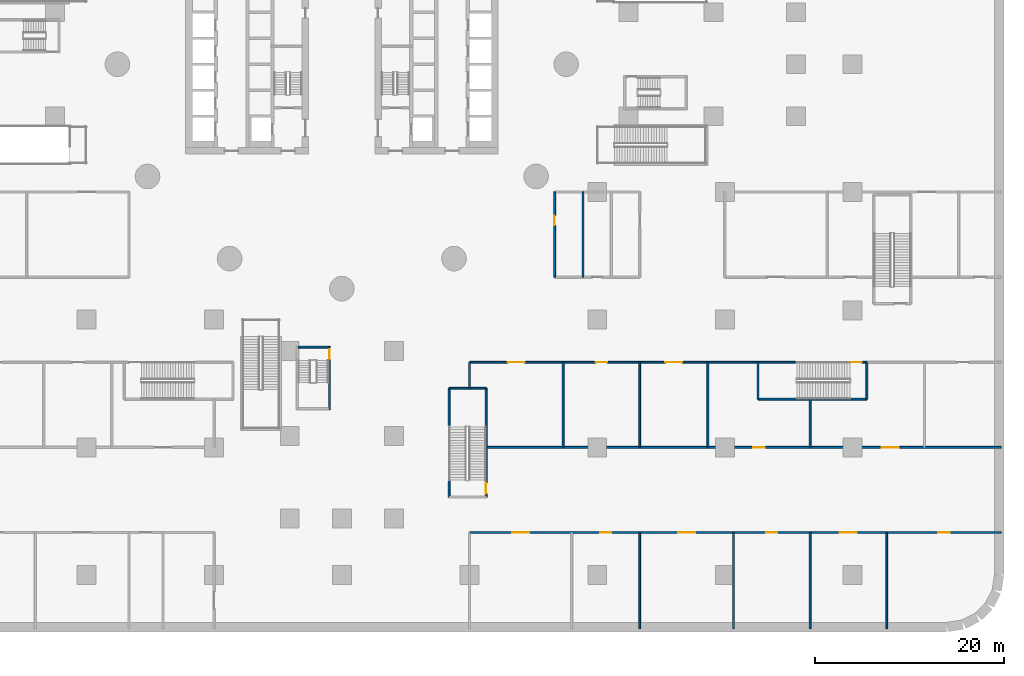
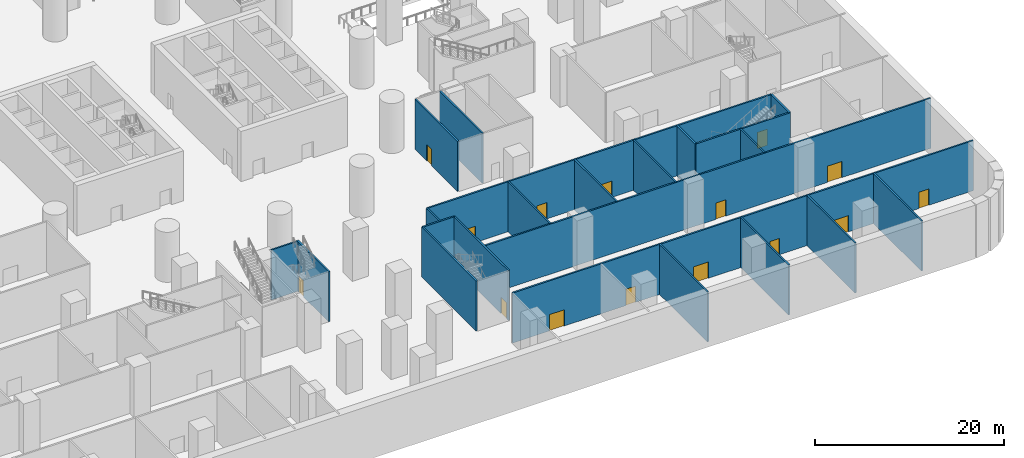
# One storey, part 7 of 37: 23 walls, 15 doors, 15 openings.
"""IFC4 building model written with IfcOpenShell, lengths in metres."""

from ifc_helpers import new_model, si_unit, direction, frame, frame_2d, origin, place, context, subcontext, project, spatial, rectangle, extrude, material, layer, layer_set, type_object, element, fill, save


model = new_model("IFC4")

# Units and contexts
model_context = context("Model", 3, precision=1e-05, world=origin(), true_north=direction((0.0, 1.0)))
body_context = subcontext(model_context, "Body", "Model", "MODEL_VIEW")
ifc_project = project(units=[si_unit("LENGTHUNIT", "METRE"), si_unit("AREAUNIT", "SQUARE_METRE"), si_unit("VOLUMEUNIT", "CUBIC_METRE"), si_unit("PLANEANGLEUNIT", "RADIAN"), si_unit("MASSUNIT", "GRAM", prefix="KILO")], contexts=[model_context])

# Site, building, storey
site_placement = place(None, origin())
site = spatial("IfcSite", under=ifc_project, at=site_placement, CompositionType="ELEMENT")
building_placement = place(site_placement, origin())
building = spatial("IfcBuilding", under=site, at=building_placement, Name="Tamarind Cross Interchange Tower", CompositionType="ELEMENT")
storey_placement = place(building_placement, frame((0.0, 0.0, -7.0)))
storey = spatial("IfcBuildingStorey", under=building, at=storey_placement, Name="B1", CompositionType="ELEMENT", Elevation=-7.0)

# Wall, openings, doors
ifc_material_1 = material(Name="Masonry partition, fire-rated", Category="masonry")
ifc_layer_1 = layer(ifc_material_1, 0.199951171875)
ifc_layer_set_1 = layer_set([ifc_layer_1], Name="Masonry partition, fire-rated")
wall_type_1 = type_object("IfcWallType", Name="Fire partition 200 EI 120", PredefinedType="PARTITIONING", material=ifc_layer_set_1)
wall_1_placement = place(storey_placement, frame((13.5, -49.5, 0.0), z_axis=(0.0, 0.0, 1.0), x_axis=(1.0, 0.0, 0.0)))
wall_1 = element("IfcWall", 1, at=wall_1_placement, inside=storey, type_object=wall_type_1, Name="B1 partition 87", PredefinedType="PARTITIONING", context=body_context, shape_type="SweptSolid", body=[
    extrude(rectangle(XDim=56.198974609375, YDim=0.199951171875, at=frame_2d((28.099609375, 0.0))), origin(), (0.0, 0.0, 1.0), 6.449951171875),
])
opening_1_placement = place(wall_1_placement, frame((4.5, 0.0, 0.0)))
opening_1 = element("IfcOpeningElement", 2, at=opening_1_placement, cuts=wall_1, Name="Opening DB1-29", PredefinedType="OPENING", context=body_context, shape_type="SweptSolid", body=[
    extrude(rectangle(XDim=1.800048828125, YDim=2.10009765625, at=frame_2d((0.89990234375, 1.050048828125))), frame((0.0, 0.10986328125, 0.0), z_axis=(0.0, -1.0, 0.0), x_axis=(1.0, 0.0, 0.0)), (0.0, 0.0, 1.0), 0.219970703125),
])
opening_2_placement = place(wall_1_placement, frame((13.800048828125, 0.0, 0.0)))
opening_2 = element("IfcOpeningElement", 3, at=opening_2_placement, cuts=wall_1, Name="Opening DB1-30", PredefinedType="OPENING", context=body_context, shape_type="SweptSolid", body=[
    extrude(rectangle(XDim=1.199951171875, YDim=2.10009765625, at=frame_2d((0.60009765625, 1.050048828125))), frame((0.0, 0.10986328125, 0.0), z_axis=(0.0, -1.0, 0.0), x_axis=(1.0, 0.0, 0.0)), (0.0, 0.0, 1.0), 0.219970703125),
])
opening_3_placement = place(wall_1_placement, frame((22.050048828125, 0.0, 0.0)))
opening_3 = element("IfcOpeningElement", 4, at=opening_3_placement, cuts=wall_1, Name="Opening DB1-31", PredefinedType="OPENING", context=body_context, shape_type="SweptSolid", body=[
    extrude(rectangle(XDim=1.800048828125, YDim=2.10009765625, at=frame_2d((0.89990234375, 1.050048828125))), frame((0.0, 0.10986328125, 0.0), z_axis=(0.0, -1.0, 0.0), x_axis=(1.0, 0.0, 0.0)), (0.0, 0.0, 1.0), 0.219970703125),
])
opening_4_placement = place(wall_1_placement, frame((31.35009765625, 0.0, 0.0)))
opening_4 = element("IfcOpeningElement", 5, at=opening_4_placement, cuts=wall_1, Name="Opening DB1-32", PredefinedType="OPENING", context=body_context, shape_type="SweptSolid", body=[
    extrude(rectangle(XDim=1.199951171875, YDim=2.10009765625, at=frame_2d((0.60009765625, 1.050048828125))), frame((0.0, 0.10986328125, 0.0), z_axis=(0.0, -1.0, 0.0), x_axis=(1.0, 0.0, 0.0)), (0.0, 0.0, 1.0), 0.219970703125),
])
opening_5_placement = place(wall_1_placement, frame((39.14990234375, 0.0, 0.0)))
opening_5 = element("IfcOpeningElement", 6, at=opening_5_placement, cuts=wall_1, Name="Opening DB1-33", PredefinedType="OPENING", context=body_context, shape_type="SweptSolid", body=[
    extrude(rectangle(XDim=1.800048828125, YDim=2.10009765625, at=frame_2d((0.89990234375, 1.050048828125))), frame((0.0, 0.10986328125, 0.0), z_axis=(0.0, -1.0, 0.0), x_axis=(1.0, 0.0, 0.0)), (0.0, 0.0, 1.0), 0.219970703125),
])
opening_6_placement = place(wall_1_placement, frame((49.56005859375, 0.0, 0.0)))
opening_6 = element("IfcOpeningElement", 7, at=opening_6_placement, cuts=wall_1, Name="Opening DB1-34", PredefinedType="OPENING", context=body_context, shape_type="SweptSolid", body=[
    extrude(rectangle(XDim=1.199951171875, YDim=2.10009765625, at=frame_2d((0.60009765625, 1.050048828125))), frame((0.0, 0.10986328125, 0.0), z_axis=(0.0, -1.0, 0.0), x_axis=(1.0, 0.0, 0.0)), (0.0, 0.0, 1.0), 0.219970703125),
])
ifc_material_2 = material(Name="Steel, fire-resisting", Category="steel")
door_type_1 = type_object("IfcDoorType", Name="Podium door 1200 x 2100 FD60", OperationType="SINGLE_SWING_LEFT", PredefinedType="DOOR", material=ifc_material_2)
door_1_placement = place(opening_2_placement, origin())
door_1 = element("IfcDoor", 8, at=door_1_placement, inside=storey, type_object=door_type_1, Name="B1 door Tenant Store B112", OperationType="SINGLE_SWING_RIGHT", OverallHeight=2.10009765625, OverallWidth=1.199951171875, PredefinedType="DOOR", context=body_context, shape_type="SweptSolid", body=[
    extrude(rectangle(XDim=1.199951171875, YDim=2.10009765625, at=frame_2d((0.60009765625, 1.050048828125))), frame((0.0, 0.02490234375, 0.0), z_axis=(0.0, -1.0, 0.0), x_axis=(1.0, 0.0, 0.0)), (0.0, 0.0, 1.0), 0.050048828125),
])
fill(opening_2, door_1)
door_2_placement = place(opening_4_placement, origin())
door_2 = element("IfcDoor", 9, at=door_2_placement, inside=storey, type_object=door_type_1, Name="B1 door Tenant Store B114", OperationType="SINGLE_SWING_RIGHT", OverallHeight=2.10009765625, OverallWidth=1.199951171875, PredefinedType="DOOR", context=body_context, shape_type="SweptSolid", body=[
    extrude(rectangle(XDim=1.199951171875, YDim=2.10009765625, at=frame_2d((0.60009765625, 1.050048828125))), frame((0.0, 0.02490234375, 0.0), z_axis=(0.0, -1.0, 0.0), x_axis=(1.0, 0.0, 0.0)), (0.0, 0.0, 1.0), 0.050048828125),
])
fill(opening_4, door_2)
door_3_placement = place(opening_6_placement, origin())
door_3 = element("IfcDoor", 10, at=door_3_placement, inside=storey, type_object=door_type_1, Name="B1 door Tenant Store B116", OperationType="SINGLE_SWING_RIGHT", OverallHeight=2.10009765625, OverallWidth=1.199951171875, PredefinedType="DOOR", context=body_context, shape_type="SweptSolid", body=[
    extrude(rectangle(XDim=1.199951171875, YDim=2.10009765625, at=frame_2d((0.60009765625, 1.050048828125))), frame((0.0, 0.02490234375, 0.0), z_axis=(0.0, -1.0, 0.0), x_axis=(1.0, 0.0, 0.0)), (0.0, 0.0, 1.0), 0.050048828125),
])
fill(opening_6, door_3)
door_type_2 = type_object("IfcDoorType", Name="Podium door 1800 x 2100 FD60", OperationType="SINGLE_SWING_LEFT", PredefinedType="DOOR", material=ifc_material_2)
door_4_placement = place(opening_1_placement, origin())
door_4 = element("IfcDoor", 11, at=door_4_placement, inside=storey, type_object=door_type_2, Name="B1 door Convenience Store B111", OperationType="SINGLE_SWING_LEFT", OverallHeight=2.10009765625, OverallWidth=1.800048828125, PredefinedType="DOOR", context=body_context, shape_type="SweptSolid", body=[
    extrude(rectangle(XDim=1.800048828125, YDim=2.10009765625, at=frame_2d((0.89990234375, 1.050048828125))), frame((0.0, 0.02490234375, 0.0), z_axis=(0.0, -1.0, 0.0), x_axis=(1.0, 0.0, 0.0)), (0.0, 0.0, 1.0), 0.050048828125),
])
fill(opening_1, door_4)
door_5_placement = place(opening_3_placement, origin())
door_5 = element("IfcDoor", 12, at=door_5_placement, inside=storey, type_object=door_type_2, Name="B1 door Coffee Bar B113", OperationType="SINGLE_SWING_LEFT", OverallHeight=2.10009765625, OverallWidth=1.800048828125, PredefinedType="DOOR", context=body_context, shape_type="SweptSolid", body=[
    extrude(rectangle(XDim=1.800048828125, YDim=2.10009765625, at=frame_2d((0.89990234375, 1.050048828125))), frame((0.0, 0.02490234375, 0.0), z_axis=(0.0, -1.0, 0.0), x_axis=(1.0, 0.0, 0.0)), (0.0, 0.0, 1.0), 0.050048828125),
])
fill(opening_3, door_5)
door_6_placement = place(opening_5_placement, origin())
door_6 = element("IfcDoor", 13, at=door_6_placement, inside=storey, type_object=door_type_2, Name="B1 door Dry Cleaner B115", OperationType="SINGLE_SWING_LEFT", OverallHeight=2.10009765625, OverallWidth=1.800048828125, PredefinedType="DOOR", context=body_context, shape_type="SweptSolid", body=[
    extrude(rectangle(XDim=1.800048828125, YDim=2.10009765625, at=frame_2d((0.89990234375, 1.050048828125))), frame((0.0, 0.02490234375, 0.0), z_axis=(0.0, -1.0, 0.0), x_axis=(1.0, 0.0, 0.0)), (0.0, 0.0, 1.0), 0.050048828125),
])
fill(opening_5, door_6)

# Wall
wall_2_placement = place(storey_placement, frame((13.5, -34.219970703125, 0.0), z_axis=(0.0, 0.0, 1.0), x_axis=(0.0, 1.0, 0.0)))
element("IfcWall", 14, at=wall_2_placement, inside=storey, type_object=wall_type_1, Name="B1 partition 88", PredefinedType="PARTITIONING", context=body_context, shape_type="SweptSolid", body=[
    extrude(rectangle(XDim=2.719970703125, YDim=0.199951171875, at=frame_2d((1.35986328125, 0.0))), origin(), (0.0, 0.0, 1.0), 6.449951171875),
])

# Wall, openings, doors
wall_3_placement = place(storey_placement, frame((13.5, -31.5, 0.0), z_axis=(0.0, 0.0, 1.0), x_axis=(1.0, 0.0, 0.0)))
wall_3 = element("IfcWall", 15, at=wall_3_placement, inside=storey, type_object=wall_type_1, Name="B1 partition 89", PredefinedType="PARTITIONING", context=body_context, shape_type="SweptSolid", body=[
    extrude(rectangle(XDim=30.469970703125, YDim=0.199951171875, at=frame_2d((15.23486328125, 0.0))), origin(), (0.0, 0.0, 1.0), 6.449951171875),
])
opening_7_placement = place(wall_3_placement, frame((4.050048828125, 0.0, 0.0)))
opening_7 = element("IfcOpeningElement", 16, at=opening_7_placement, cuts=wall_3, Name="Opening DB1-23", PredefinedType="OPENING", context=body_context, shape_type="SweptSolid", body=[
    extrude(rectangle(XDim=1.800048828125, YDim=2.10009765625, at=frame_2d((0.89990234375, 1.050048828125))), frame((0.0, 0.10986328125, 0.0), z_axis=(0.0, -1.0, 0.0), x_axis=(1.0, 0.0, 0.0)), (0.0, 0.0, 1.0), 0.219970703125),
])
opening_8_placement = place(wall_3_placement, frame((13.35009765625, 0.0, 0.0)))
opening_8 = element("IfcOpeningElement", 17, at=opening_8_placement, cuts=wall_3, Name="Opening DB1-24", PredefinedType="OPENING", context=body_context, shape_type="SweptSolid", body=[
    extrude(rectangle(XDim=1.199951171875, YDim=2.10009765625, at=frame_2d((0.60009765625, 1.050048828125))), frame((0.0, 0.10986328125, 0.0), z_axis=(0.0, -1.0, 0.0), x_axis=(1.0, 0.0, 0.0)), (0.0, 0.0, 1.0), 0.219970703125),
])
opening_9_placement = place(wall_3_placement, frame((20.699951171875, 0.0, 0.0)))
opening_9 = element("IfcOpeningElement", 18, at=opening_9_placement, cuts=wall_3, Name="Opening DB1-25", PredefinedType="OPENING", context=body_context, shape_type="SweptSolid", body=[
    extrude(rectangle(XDim=1.800048828125, YDim=2.10009765625, at=frame_2d((0.89990234375, 1.050048828125))), frame((0.0, 0.10986328125, 0.0), z_axis=(0.0, -1.0, 0.0), x_axis=(1.0, 0.0, 0.0)), (0.0, 0.0, 1.0), 0.219970703125),
])
door_7_placement = place(opening_8_placement, origin())
door_7 = element("IfcDoor", 19, at=door_7_placement, inside=storey, type_object=door_type_1, Name="B1 door Tenant Store B106", OperationType="SINGLE_SWING_RIGHT", OverallHeight=2.10009765625, OverallWidth=1.199951171875, PredefinedType="DOOR", context=body_context, shape_type="SweptSolid", body=[
    extrude(rectangle(XDim=1.199951171875, YDim=2.10009765625, at=frame_2d((0.60009765625, 1.050048828125))), frame((0.0, 0.02490234375, 0.0), z_axis=(0.0, -1.0, 0.0), x_axis=(1.0, 0.0, 0.0)), (0.0, 0.0, 1.0), 0.050048828125),
])
fill(opening_8, door_7)
door_8_placement = place(opening_7_placement, origin())
door_8 = element("IfcDoor", 20, at=door_8_placement, inside=storey, type_object=door_type_2, Name="B1 door Coffee Bar B105", OperationType="SINGLE_SWING_LEFT", OverallHeight=2.10009765625, OverallWidth=1.800048828125, PredefinedType="DOOR", context=body_context, shape_type="SweptSolid", body=[
    extrude(rectangle(XDim=1.800048828125, YDim=2.10009765625, at=frame_2d((0.89990234375, 1.050048828125))), frame((0.0, 0.02490234375, 0.0), z_axis=(0.0, -1.0, 0.0), x_axis=(1.0, 0.0, 0.0)), (0.0, 0.0, 1.0), 0.050048828125),
])
fill(opening_7, door_8)
door_9_placement = place(opening_9_placement, origin())
door_9 = element("IfcDoor", 21, at=door_9_placement, inside=storey, type_object=door_type_2, Name="B1 door Dry Cleaner B107", OperationType="SINGLE_SWING_LEFT", OverallHeight=2.10009765625, OverallWidth=1.800048828125, PredefinedType="DOOR", context=body_context, shape_type="SweptSolid", body=[
    extrude(rectangle(XDim=1.800048828125, YDim=2.10009765625, at=frame_2d((0.89990234375, 1.050048828125))), frame((0.0, 0.02490234375, 0.0), z_axis=(0.0, -1.0, 0.0), x_axis=(1.0, 0.0, 0.0)), (0.0, 0.0, 1.0), 0.050048828125),
])
fill(opening_9, door_9)

wall_4_placement = place(storey_placement, frame((15.280029296875, -40.5, 0.0), z_axis=(0.0, 0.0, 1.0), x_axis=(1.0, 0.0, 0.0)))
wall_4 = element("IfcWall", 22, at=wall_4_placement, inside=storey, type_object=wall_type_1, Name="B1 partition 90", PredefinedType="PARTITIONING", context=body_context, shape_type="SweptSolid", body=[
    extrude(rectangle(XDim=54.4189453125, YDim=0.199951171875, at=frame_2d((27.20947265625, 0.0))), origin(), (0.0, 0.0, 1.0), 6.449951171875),
])
opening_10_placement = place(wall_4_placement, frame((28.219970703125, 0.0, 0.0)))
opening_10 = element("IfcOpeningElement", 23, at=opening_10_placement, cuts=wall_4, Name="Opening DB1-26", PredefinedType="OPENING", context=body_context, shape_type="SweptSolid", body=[
    extrude(rectangle(XDim=1.199951171875, YDim=2.10009765625, at=frame_2d((0.60009765625, 1.050048828125))), frame((0.0, 0.10986328125, 0.0), z_axis=(0.0, -1.0, 0.0), x_axis=(1.0, 0.0, 0.0)), (0.0, 0.0, 1.0), 0.219970703125),
])
opening_11_placement = place(wall_4_placement, frame((41.783935546875, 0.0, 0.0)))
opening_11 = element("IfcOpeningElement", 24, at=opening_11_placement, cuts=wall_4, Name="Opening DB1-27", PredefinedType="OPENING", context=body_context, shape_type="SweptSolid", body=[
    extrude(rectangle(XDim=1.800048828125, YDim=2.10009765625, at=frame_2d((0.89990234375, 1.050048828125))), frame((0.0, 0.10986328125, 0.0), z_axis=(0.0, -1.0, 0.0), x_axis=(1.0, 0.0, 0.0)), (0.0, 0.0, 1.0), 0.219970703125),
])
door_10_placement = place(opening_10_placement, origin())
door_10 = element("IfcDoor", 25, at=door_10_placement, inside=storey, type_object=door_type_1, Name="B1 door Tenant Store B108", OperationType="SINGLE_SWING_RIGHT", OverallHeight=2.10009765625, OverallWidth=1.199951171875, PredefinedType="DOOR", context=body_context, shape_type="SweptSolid", body=[
    extrude(rectangle(XDim=1.199951171875, YDim=2.10009765625, at=frame_2d((0.60009765625, 1.050048828125))), frame((0.0, 0.02490234375, 0.0), z_axis=(0.0, -1.0, 0.0), x_axis=(1.0, 0.0, 0.0)), (0.0, 0.0, 1.0), 0.050048828125),
])
fill(opening_10, door_10)
door_11_placement = place(opening_11_placement, origin())
door_11 = element("IfcDoor", 26, at=door_11_placement, inside=storey, type_object=door_type_2, Name="B1 door Newsagent B109", OperationType="SINGLE_SWING_LEFT", OverallHeight=2.10009765625, OverallWidth=1.800048828125, PredefinedType="DOOR", context=body_context, shape_type="SweptSolid", body=[
    extrude(rectangle(XDim=1.800048828125, YDim=2.10009765625, at=frame_2d((0.89990234375, 1.050048828125))), frame((0.0, 0.02490234375, 0.0), z_axis=(0.0, -1.0, 0.0), x_axis=(1.0, 0.0, 0.0)), (0.0, 0.0, 1.0), 0.050048828125),
])
fill(opening_11, door_11)

# Walls
wall_5_placement = place(storey_placement, frame((23.39990234375, -40.5, 0.0), z_axis=(0.0, 0.0, 1.0), x_axis=(0.0, 1.0, 0.0)))
element("IfcWall", 27, at=wall_5_placement, inside=storey, type_object=wall_type_1, Name="B1 partition 91", PredefinedType="PARTITIONING", context=body_context, shape_type="SweptSolid", body=[
    extrude(rectangle(XDim=9.0, YDim=0.199951171875, at=frame_2d((4.5, 0.0))), origin(), (0.0, 0.0, 1.0), 6.449951171875),
])
wall_6_placement = place(storey_placement, frame((31.5, -59.698974609375, 0.0), z_axis=(0.0, 0.0, 1.0), x_axis=(0.0, 1.0, 0.0)))
element("IfcWall", 28, at=wall_6_placement, inside=storey, type_object=wall_type_1, Name="B1 partition 99", PredefinedType="PARTITIONING", context=body_context, shape_type="SweptSolid", body=[
    extrude(rectangle(XDim=10.198974609375, YDim=0.199951171875, at=frame_2d((5.099609375, 0.0))), origin(), (0.0, 0.0, 1.0), 6.449951171875),
])
for number, where, z_axis, x_axis, name in (
    (29, (31.5, -40.5, 0.0), (0.0, 0.0, 1.0), (0.0, 1.0, 0.0), "B1 partition 100"),
    (30, (38.699951171875, -40.5, 0.0), (0.0, 0.0, 1.0), (0.0, 1.0, 0.0), "B1 partition 101"),
):
    element("IfcWall", number, at=place(storey_placement, frame(where, z_axis=z_axis, x_axis=x_axis)), inside=storey, type_object=wall_type_1, Name=name, PredefinedType="PARTITIONING", context=body_context, shape_type="SweptSolid", body=[
        extrude(rectangle(XDim=9.0, YDim=0.199951171875, at=frame_2d((4.5, 0.0))), origin(), (0.0, 0.0, 1.0), 6.449951171875),
    ])
for number, where, z_axis, x_axis, name in (
    (31, (41.39990234375, -59.698974609375, 0.0), (0.0, 0.0, 1.0), (0.0, 1.0, 0.0), "B1 partition 102"),
    (32, (49.5, -59.698974609375, 0.0), (0.0, 0.0, 1.0), (0.0, 1.0, 0.0), "B1 partition 103"),
):
    element("IfcWall", number, at=place(storey_placement, frame(where, z_axis=z_axis, x_axis=x_axis)), inside=storey, type_object=wall_type_1, Name=name, PredefinedType="PARTITIONING", context=body_context, shape_type="SweptSolid", body=[
        extrude(rectangle(XDim=10.198974609375, YDim=0.199951171875, at=frame_2d((5.099609375, 0.0))), origin(), (0.0, 0.0, 1.0), 6.449951171875),
    ])
wall_7_placement = place(storey_placement, frame((49.5, -40.5, 0.0), z_axis=(0.0, 0.0, 1.0), x_axis=(0.0, 1.0, 0.0)))
element("IfcWall", 33, at=wall_7_placement, inside=storey, type_object=wall_type_1, Name="B1 partition 104", PredefinedType="PARTITIONING", context=body_context, shape_type="SweptSolid", body=[
    extrude(rectangle(XDim=5.070068359375, YDim=0.199951171875, at=frame_2d((2.53515625, 0.0))), origin(), (0.0, 0.0, 1.0), 6.449951171875),
])
wall_8_placement = place(storey_placement, frame((57.60009765625, -59.698974609375, 0.0), z_axis=(0.0, 0.0, 1.0), x_axis=(0.0, 1.0, 0.0)))
element("IfcWall", 34, at=wall_8_placement, inside=storey, type_object=wall_type_1, Name="B1 partition 110", PredefinedType="PARTITIONING", context=body_context, shape_type="SweptSolid", body=[
    extrude(rectangle(XDim=10.198974609375, YDim=0.199951171875, at=frame_2d((5.099609375, 0.0))), origin(), (0.0, 0.0, 1.0), 6.449951171875),
])
ifc_layer_2 = layer(ifc_material_1, 0.199951171875)
ifc_layer_set_2 = layer_set([ifc_layer_2], Name="Masonry partition, fire-rated")
wall_type_2 = type_object("IfcWallType", Name="Fire partition 200 EI 90", PredefinedType="PARTITIONING", material=ifc_layer_set_2)
wall_9_placement = place(storey_placement, frame((25.5, -22.5, 0.0), z_axis=(0.0, 0.0, 1.0), x_axis=(0.0, 1.0, 0.0)))
element("IfcWall", 35, at=wall_9_placement, inside=storey, type_object=wall_type_2, Name="B1 partition 94", PredefinedType="PARTITIONING", context=body_context, shape_type="SweptSolid", body=[
    extrude(rectangle(XDim=9.0, YDim=0.199951171875, at=frame_2d((4.5, 0.0))), origin(), (0.0, 0.0, 1.0), 6.449951171875),
])

# Wall, opening, door
wall_10_placement = place(storey_placement, frame((22.5, -22.5, 0.0), z_axis=(0.0, 0.0, 1.0), x_axis=(0.0, 1.0, 0.0)))
wall_10 = element("IfcWall", 36, at=wall_10_placement, inside=storey, type_object=wall_type_2, Name="B1 partition 95", PredefinedType="PARTITIONING", context=body_context, shape_type="SweptSolid", body=[
    extrude(rectangle(XDim=9.0, YDim=0.199951171875, at=frame_2d((4.5, 0.0))), origin(), (0.0, 0.0, 1.0), 6.449951171875),
])
opening_12_placement = place(wall_10_placement, frame((5.5, 0.0, 0.0)))
opening_12 = element("IfcOpeningElement", 37, at=opening_12_placement, cuts=wall_10, Name="Opening DB1-16", PredefinedType="OPENING", context=body_context, shape_type="SweptSolid", body=[
    extrude(rectangle(XDim=1.0, YDim=2.10009765625, at=frame_2d((0.5, 1.050048828125))), frame((0.0, 0.10986328125, 0.0), z_axis=(0.0, -1.0, 0.0), x_axis=(1.0, 0.0, 0.0)), (0.0, 0.0, 1.0), 0.219970703125),
])
door_type_3 = type_object("IfcDoorType", Name="Podium door 1000 x 2100 FD60", OperationType="SINGLE_SWING_LEFT", PredefinedType="DOOR", material=ifc_material_2)
door_12_placement = place(opening_12_placement, origin())
door_12 = element("IfcDoor", 38, at=door_12_placement, inside=storey, type_object=door_type_3, Name="B1 door Women's Toilets B1SE", OperationType="SINGLE_SWING_RIGHT", OverallHeight=2.10009765625, OverallWidth=1.0, PredefinedType="DOOR", context=body_context, shape_type="SweptSolid", body=[
    extrude(rectangle(XDim=1.0, YDim=2.10009765625, at=frame_2d((0.5, 1.050048828125))), frame((0.0, 0.02490234375, 0.0), z_axis=(0.0, -1.0, 0.0), x_axis=(1.0, 0.0, 0.0)), (0.0, 0.0, 1.0), 0.050048828125),
])
fill(opening_12, door_12)

# Walls
ifc_material_3 = material(Name="Concrete C40", Category="concrete")
ifc_layer_3 = layer(ifc_material_3, 0.199951171875)
ifc_layer_set_3 = layer_set([ifc_layer_3], Name="Concrete C40")
wall_type_3 = type_object("IfcWallType", Name="Stair shaft wall 200 EI 180", PredefinedType="PARTITIONING", material=ifc_layer_set_3)
wall_11_placement = place(storey_placement, frame((11.35009765625, -45.75, 0.0), z_axis=(0.0, 0.0, 1.0), x_axis=(0.0, 1.0, 0.0)))
element("IfcWall", 39, at=wall_11_placement, inside=storey, type_object=wall_type_3, Name="B1 stair shaft wall 33", PredefinedType="PARTITIONING", context=body_context, shape_type="SweptSolid", body=[
    extrude(rectangle(XDim=11.5, YDim=0.199951171875, at=frame_2d((5.75, 0.0))), origin(), (0.0, 0.0, 1.0), 6.449951171875),
])
wall_12_placement = place(storey_placement, frame((11.35009765625, -34.25, 0.0), z_axis=(0.0, 0.0, 1.0), x_axis=(1.0, 0.0, 0.0)))
element("IfcWall", 40, at=wall_12_placement, inside=storey, type_object=wall_type_3, Name="B1 stair shaft wall 34", PredefinedType="PARTITIONING", context=body_context, shape_type="SweptSolid", body=[
    extrude(rectangle(XDim=3.89990234375, YDim=0.199951171875, at=frame_2d((1.949951171875, 0.0))), origin(), (0.0, 0.0, 1.0), 6.449951171875),
])

# Wall, opening, door
wall_13_placement = place(storey_placement, frame((15.25, -45.75, 0.0), z_axis=(0.0, 0.0, 1.0), x_axis=(0.0, 1.0, 0.0)))
wall_13 = element("IfcWall", 41, at=wall_13_placement, inside=storey, type_object=wall_type_3, Name="B1 stair shaft wall 35", PredefinedType="PARTITIONING", context=body_context, shape_type="SweptSolid", body=[
    extrude(rectangle(XDim=11.5, YDim=0.199951171875, at=frame_2d((5.75, 0.0))), origin(), (0.0, 0.0, 1.0), 6.449951171875),
])
opening_13_placement = place(wall_13_placement, frame((0.325927734375, 0.0, 0.0)))
opening_13 = element("IfcOpeningElement", 42, at=opening_13_placement, cuts=wall_13, Name="Opening DB1-14", PredefinedType="OPENING", context=body_context, shape_type="SweptSolid", body=[
    extrude(rectangle(XDim=1.199951171875, YDim=2.10009765625, at=frame_2d((0.60009765625, 1.050048828125))), frame((0.0, 0.10986328125, 0.0), z_axis=(0.0, -1.0, 0.0), x_axis=(1.0, 0.0, 0.0)), (0.0, 0.0, 1.0), 0.219970703125),
])
door_type_4 = type_object("IfcDoorType", Name="Podium door 1200 x 2100 FD90", OperationType="SINGLE_SWING_LEFT", PredefinedType="DOOR", material=ifc_material_2)
door_13_placement = place(opening_13_placement, origin())
door_13 = element("IfcDoor", 43, at=door_13_placement, inside=storey, type_object=door_type_4, Name="B1 door Exit Stair PX12", OperationType="SINGLE_SWING_RIGHT", OverallHeight=2.10009765625, OverallWidth=1.199951171875, PredefinedType="DOOR", context=body_context, shape_type="SweptSolid", body=[
    extrude(rectangle(XDim=1.199951171875, YDim=2.10009765625, at=frame_2d((0.60009765625, 1.050048828125))), frame((0.0, 0.02490234375, 0.0), z_axis=(0.0, -1.0, 0.0), x_axis=(1.0, 0.0, 0.0)), (0.0, 0.0, 1.0), 0.050048828125),
])
fill(opening_13, door_13)

# Walls
wall_14_placement = place(storey_placement, frame((44.0, -35.39990234375, 0.0), z_axis=(0.0, 0.0, 1.0), x_axis=(1.0, 0.0, 0.0)))
element("IfcWall", 44, at=wall_14_placement, inside=storey, type_object=wall_type_3, Name="B1 stair shaft wall 45", PredefinedType="PARTITIONING", context=body_context, shape_type="SweptSolid", body=[
    extrude(rectangle(XDim=11.5, YDim=0.199951171875, at=frame_2d((5.75, 0.0))), origin(), (0.0, 0.0, 1.0), 6.449951171875),
])
wall_15_placement = place(storey_placement, frame((44.0, -35.39990234375, 0.0), z_axis=(0.0, 0.0, 1.0), x_axis=(0.0, 1.0, 0.0)))
element("IfcWall", 45, at=wall_15_placement, inside=storey, type_object=wall_type_3, Name="B1 stair shaft wall 46", PredefinedType="PARTITIONING", context=body_context, shape_type="SweptSolid", body=[
    extrude(rectangle(XDim=3.89990234375, YDim=0.199951171875, at=frame_2d((1.949951171875, 0.0))), origin(), (0.0, 0.0, 1.0), 6.449951171875),
])

# Wall, opening, door
wall_16_placement = place(storey_placement, frame((44.0, -31.5, 0.0), z_axis=(0.0, 0.0, 1.0), x_axis=(1.0, 0.0, 0.0)))
wall_16 = element("IfcWall", 46, at=wall_16_placement, inside=storey, type_object=wall_type_3, Name="B1 stair shaft wall 47", PredefinedType="PARTITIONING", context=body_context, shape_type="SweptSolid", body=[
    extrude(rectangle(XDim=11.5, YDim=0.199951171875, at=frame_2d((5.75, 0.0))), origin(), (0.0, 0.0, 1.0), 6.449951171875),
])
opening_14_placement = place(wall_16_placement, frame((9.785888671875, 0.0, 0.0)))
opening_14 = element("IfcOpeningElement", 47, at=opening_14_placement, cuts=wall_16, Name="Opening DB1-12", PredefinedType="OPENING", context=body_context, shape_type="SweptSolid", body=[
    extrude(rectangle(XDim=1.199951171875, YDim=2.10009765625, at=frame_2d((0.60009765625, 1.050048828125))), frame((0.0, 0.10986328125, 0.0), z_axis=(0.0, -1.0, 0.0), x_axis=(1.0, 0.0, 0.0)), (0.0, 0.0, 1.0), 0.219970703125),
])
door_14_placement = place(opening_14_placement, origin())
door_14 = element("IfcDoor", 48, at=door_14_placement, inside=storey, type_object=door_type_4, Name="B1 door Exit Stair PX10", OperationType="SINGLE_SWING_RIGHT", OverallHeight=2.10009765625, OverallWidth=1.199951171875, PredefinedType="DOOR", context=body_context, shape_type="SweptSolid", body=[
    extrude(rectangle(XDim=1.199951171875, YDim=2.10009765625, at=frame_2d((0.60009765625, 1.050048828125))), frame((0.0, 0.02490234375, 0.0), z_axis=(0.0, -1.0, 0.0), x_axis=(1.0, 0.0, 0.0)), (0.0, 0.0, 1.0), 0.050048828125),
])
fill(opening_14, door_14)

# Wall
wall_17_placement = place(storey_placement, frame((55.5, -35.39990234375, 0.0), z_axis=(0.0, 0.0, 1.0), x_axis=(0.0, 1.0, 0.0)))
element("IfcWall", 49, at=wall_17_placement, inside=storey, type_object=wall_type_3, Name="B1 stair shaft wall 48", PredefinedType="PARTITIONING", context=body_context, shape_type="SweptSolid", body=[
    extrude(rectangle(XDim=3.89990234375, YDim=0.199951171875, at=frame_2d((1.949951171875, 0.0))), origin(), (0.0, 0.0, 1.0), 6.449951171875),
])

# Wall, opening, door
ifc_layer_4 = layer(ifc_material_3, 0.199951171875)
ifc_layer_set_4 = layer_set([ifc_layer_4], Name="Concrete C40")
wall_type_4 = type_object("IfcWallType", Name="Stair shaft wall 200 mm Concrete C40", PredefinedType="SHEAR", material=ifc_layer_set_4)
wall_18_placement = place(storey_placement, frame((-1.300048828125, -29.800048828125, 0.0), z_axis=(0.0, 0.0, 1.0), x_axis=(0.0, -1.0, 0.0)))
wall_18 = element("IfcWall", 50, at=wall_18_placement, inside=storey, type_object=wall_type_4, Name="Core wall CWL-B1-ST6-H", PredefinedType="SHEAR", context=body_context, shape_type="SweptSolid", body=[
    extrude(rectangle(XDim=6.699951171875, YDim=0.199951171875, at=frame_2d((3.35009765625, 0.0))), origin(), (0.0, 0.0, 1.0), 6.449951171875),
])
opening_15_placement = place(wall_18_placement, frame((0.35009765625, 0.0, 0.0)))
opening_15 = element("IfcOpeningElement", 51, at=opening_15_placement, cuts=wall_18, Name="Opening ST6B1", PredefinedType="OPENING", context=body_context, shape_type="SweptSolid", body=[
    extrude(rectangle(XDim=1.0, YDim=2.10009765625, at=frame_2d((0.5, 1.050048828125))), frame((0.0, 0.10986328125, 0.0), z_axis=(0.0, -1.0, 0.0), x_axis=(1.0, 0.0, 0.0)), (0.0, 0.0, 1.0), 0.219970703125),
])
door_type_5 = type_object("IfcDoorType", Name="Core fire door 1000 x 2100 FD90", OperationType="SINGLE_SWING_LEFT", PredefinedType="DOOR", material=ifc_material_2)
door_15_placement = place(opening_15_placement, origin())
door_15 = element("IfcDoor", 52, at=door_15_placement, inside=storey, type_object=door_type_5, Name="B1 stair door ST6", OperationType="SINGLE_SWING_LEFT", OverallHeight=2.10009765625, OverallWidth=1.0, PredefinedType="DOOR", context=body_context, shape_type="SweptSolid", body=[
    extrude(rectangle(XDim=1.0, YDim=2.10009765625, at=frame_2d((0.5, 1.050048828125))), frame((0.0, 0.02490234375, 0.0), z_axis=(0.0, -1.0, 0.0), x_axis=(1.0, 0.0, 0.0)), (0.0, 0.0, 1.0), 0.050048828125),
])
fill(opening_15, door_15)

# Wall
wall_19_placement = place(storey_placement, frame((-4.60009765625, -29.89990234375, 0.0), z_axis=(0.0, 0.0, 1.0), x_axis=(1.0, 0.0, 0.0)))
element("IfcWall", 53, at=wall_19_placement, inside=storey, type_object=wall_type_4, Name="Core wall CWL-B1-ST6-CE", PredefinedType="SHEAR", context=body_context, shape_type="SweptSolid", body=[
    extrude(rectangle(XDim=3.2001953125, YDim=0.199951171875, at=frame_2d((1.60009765625, 0.0))), origin(), (0.0, 0.0, 1.0), 6.449951171875),
])

save(model, "model.ifc")
